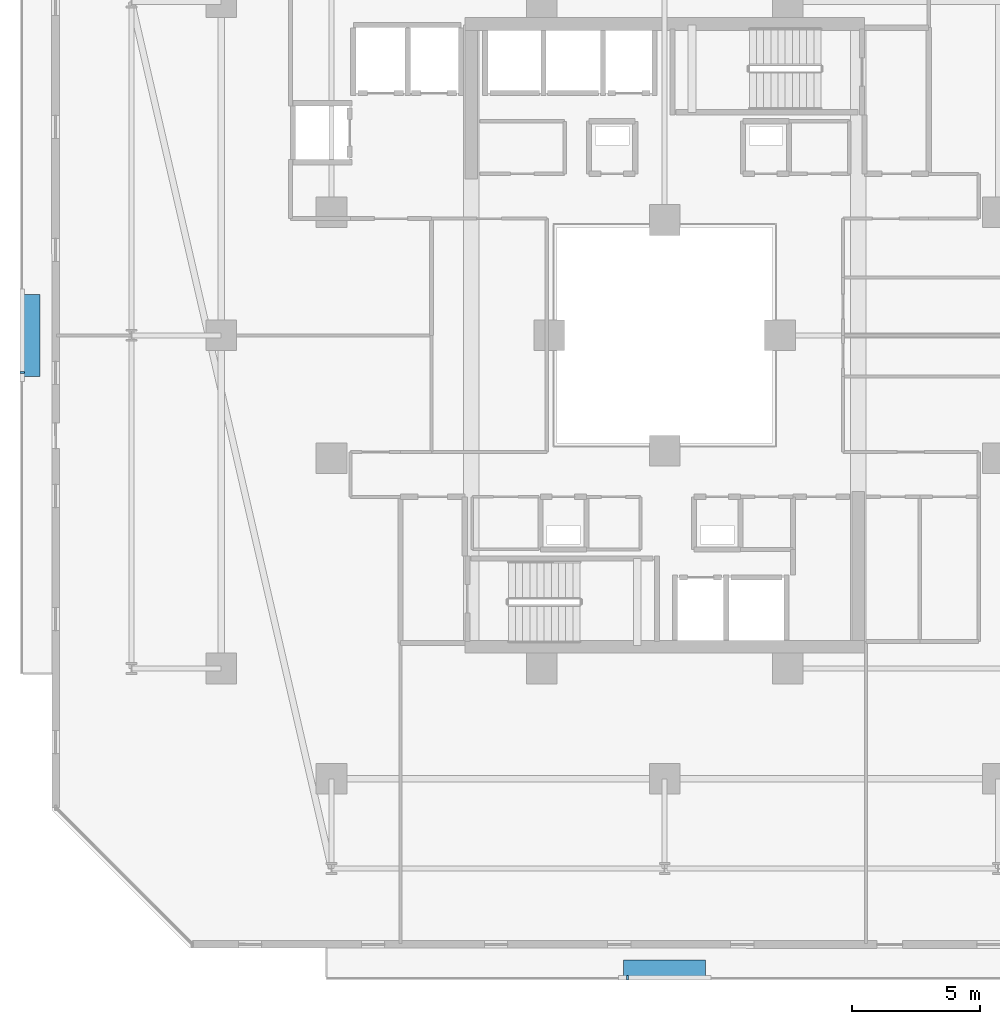
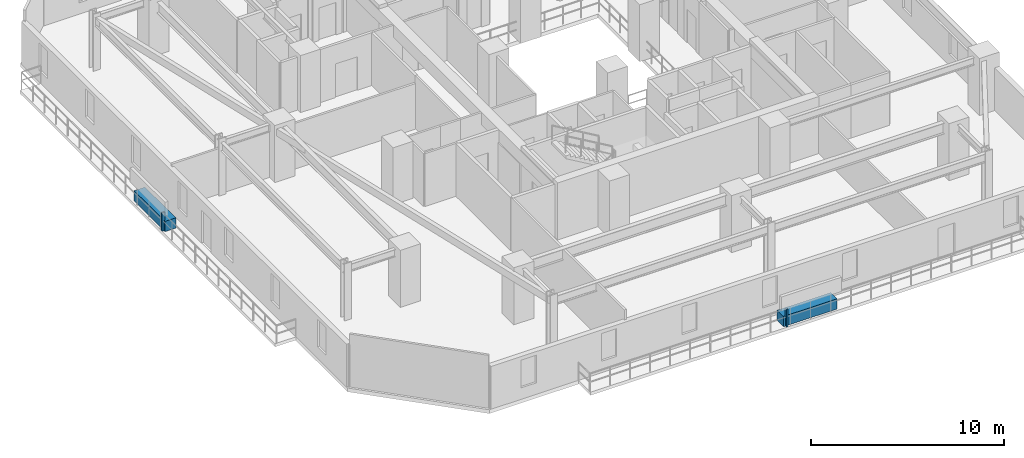
# One storey, part 27 of 33: 4 discrete accessories.
"""IFC4 building model written with IfcOpenShell, lengths in metres."""

from ifc_helpers import new_model, si_unit, direction, frame, origin, origin_2d, place, context, subcontext, project, spatial, rectangle, extrude, material, type_object, element, save


model = new_model("IFC4")

# Units and contexts
model_context = context("Model", 3, precision=1e-05, world=origin(), true_north=direction((0.0, 1.0)))
body_context = subcontext(model_context, "Body", "Model", "MODEL_VIEW")
ifc_project = project(units=[si_unit("LENGTHUNIT", "METRE"), si_unit("AREAUNIT", "SQUARE_METRE"), si_unit("VOLUMEUNIT", "CUBIC_METRE"), si_unit("PLANEANGLEUNIT", "RADIAN"), si_unit("MASSUNIT", "GRAM", prefix="KILO")], contexts=[model_context])

# Site, building, storey
site_placement = place(None, origin())
site = spatial("IfcSite", under=ifc_project, at=site_placement, CompositionType="ELEMENT")
building_placement = place(site_placement, origin())
building = spatial("IfcBuilding", under=site, at=building_placement, Name="Thornwick Lancets Civic Towers", CompositionType="ELEMENT")
storey_placement = place(building_placement, frame((0.0, 0.0, 130.5)))
storey = spatial("IfcBuildingStorey", under=building, at=storey_placement, Name="L34", CompositionType="ELEMENT", Elevation=130.5)

# Discrete accessories
ifc_material_1 = material(Name="Planted terracotta greenery planter", Category="masonry")
discrete_accessory_type_1 = type_object("IfcDiscreteAccessoryType", Name="ACC_PLANTER_BOX", PredefinedType="USERDEFINED", material=ifc_material_1)
discrete_accessory_1_placement = place(storey_placement, frame((25.5, 2.300048828125, 0.0), z_axis=(0.0, 0.0, 1.0), x_axis=(1.0, 0.0, 0.0)))
element("IfcDiscreteAccessory", 1, at=discrete_accessory_1_placement, inside=storey, type_object=discrete_accessory_type_1, Name="L34 Tower A Balcony Greenery Planter S", ObjectType="PLANTER", PredefinedType="USERDEFINED", context=body_context, shape_type="SweptSolid", body=[
    extrude(rectangle(XDim=3.199951171875, YDim=0.64990234375, at=origin_2d()), origin(), (0.0, 0.0, 1.0), 0.64990234375),
])
discrete_accessory_2_placement = place(storey_placement, frame((0.800048828125, 27.0, 0.0), z_axis=(0.0, 0.0, 1.0), x_axis=(1.0, 0.0, 0.0)))
element("IfcDiscreteAccessory", 2, at=discrete_accessory_2_placement, inside=storey, type_object=discrete_accessory_type_1, Name="L34 Tower A Balcony Greenery Planter W", ObjectType="PLANTER", PredefinedType="USERDEFINED", context=body_context, shape_type="SweptSolid", body=[
    extrude(rectangle(XDim=0.64990234375, YDim=3.199951171875, at=origin_2d()), origin(), (0.0, 0.0, 1.0), 0.64990234375),
])
ifc_material_2 = material(Name="Stainless steel S355", Category="steel")
discrete_accessory_type_2 = type_object("IfcDiscreteAccessoryType", Name="ACC_SCREEN_BRACKET", PredefinedType="BRACKET", material=ifc_material_2)
for number, where, z_axis, x_axis, name in (
    (3, (24.050048828125, 1.93994140625, 0.0), (0.0, 0.0, 1.0), (1.0, 0.0, 0.0), "L34 Tower A Balcony Screen Stanchion Bracket S-1"),
    (4, (0.43994140625, 25.550048828125, 0.0), (0.0, 0.0, 1.0), (0.0, 1.0, 0.0), "L34 Tower A Balcony Screen Stanchion Bracket W-1"),
):
    element("IfcDiscreteAccessory", number, at=place(storey_placement, frame(where, z_axis=z_axis, x_axis=x_axis)), inside=storey, type_object=discrete_accessory_type_2, Name=name, PredefinedType="BRACKET", context=body_context, shape_type="SweptSolid", body=[
        extrude(rectangle(XDim=0.080078125, YDim=0.179931640625, at=origin_2d()), origin(), (0.0, 0.0, 1.0), 1.14990234375),
    ])

save(model, "model.ifc")
